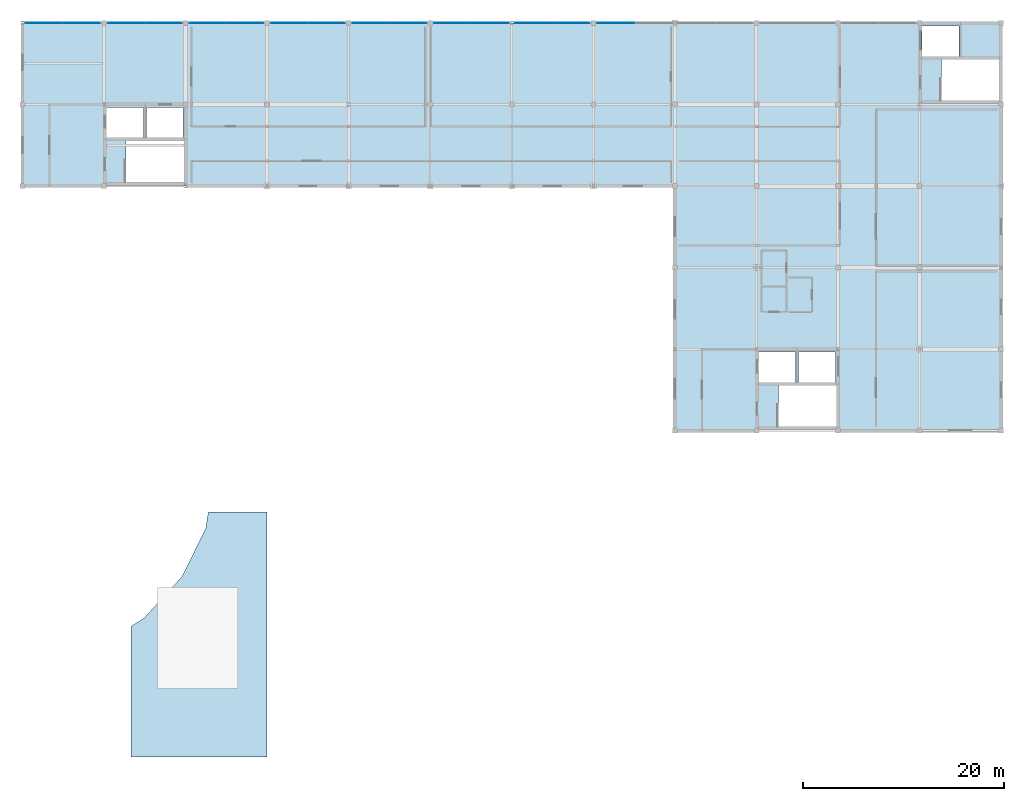
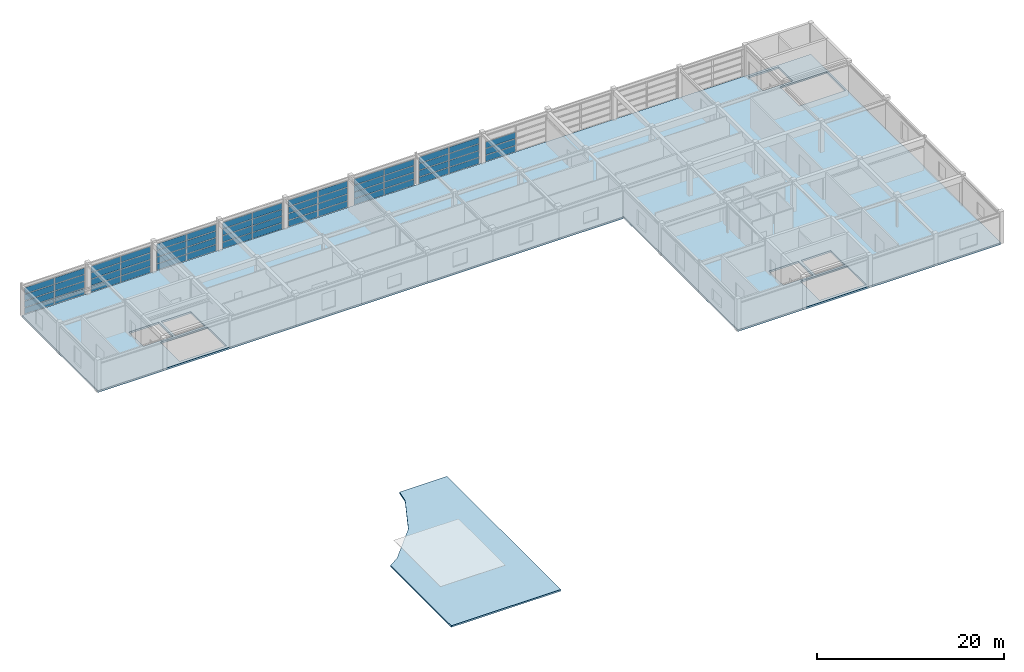
# One storey, part 14 of 19: 59 plates, 2 slabs, 8 elements without a shape of their own.
"""IFC4 building model written with IfcOpenShell, lengths in metres."""

from ifc_helpers import new_model, si_unit, direction, frame, origin, origin_2d, place, context, subcontext, project, spatial, polyline, rectangle, outline, extrude, material, layer, layer_set, type_object, element, aggregate, save


model = new_model("IFC4")

# Units and contexts
model_context = context("Model", 3, precision=1e-05, world=origin(), true_north=direction((0.0, 1.0)))
body_context = subcontext(model_context, "Body", "Model", "MODEL_VIEW")
ifc_project = project(units=[si_unit("LENGTHUNIT", "METRE"), si_unit("AREAUNIT", "SQUARE_METRE"), si_unit("VOLUMEUNIT", "CUBIC_METRE"), si_unit("PLANEANGLEUNIT", "RADIAN"), si_unit("MASSUNIT", "GRAM", prefix="KILO")], contexts=[model_context])

# Site, building, storey
site_placement = place(None, origin())
site = spatial("IfcSite", under=ifc_project, at=site_placement, CompositionType="ELEMENT")
building_placement = place(site_placement, origin())
building = spatial("IfcBuilding", under=site, at=building_placement, Name="Parian Resonance Hall", CompositionType="ELEMENT")
storey_placement = place(building_placement, frame((0.0, 0.0, 23.39990234375)))
storey = spatial("IfcBuildingStorey", under=building, at=storey_placement, Name="L05", CompositionType="ELEMENT", Elevation=23.39990234375)

# Curtain wall, plates
ifc_material_1 = material(Name="Bronze-anodised aluminium frame", Category="aluminium")
curtain_wall_type_1 = type_object("IfcCurtainWallType", Name="CW-SYS-02", PredefinedType="NOTDEFINED", material=ifc_material_1)
curtain_wall_1_placement = place(storey_placement, origin())
curtain_wall_1 = element("IfcCurtainWall", 1, at=curtain_wall_1_placement, inside=storey, type_object=curtain_wall_type_1, Name="Curtain wall CW-L05-153", PredefinedType="NOTDEFINED")
ifc_material_2 = material(Name="Acoustic laminated double glazing", Category="glass")
ifc_layer_1 = layer(ifc_material_2, 0.02197265625)
ifc_layer_set_1 = layer_set([ifc_layer_1], Name="Acoustic laminated double glazing")
plate_type_1 = type_object("IfcPlateType", Name="CWP-IGU22", PredefinedType="CURTAIN_PANEL", material=ifc_layer_set_1)
plate_1_placement = place(storey_placement, frame((58.90625, 89.10009765625, 0.05712890625), z_axis=(0.0, 0.0, 1.0), x_axis=(1.0, 0.0, 0.0)))
plate_1 = element("IfcPlate", 2, at=plate_1_placement, type_object=plate_type_1, Name="CW-02 panel 1.1", PredefinedType="CURTAIN_PANEL", context=body_context, shape_type="SweptSolid", body=[
    extrude(rectangle(XDim=3.62255859375, YDim=0.02197265625, at=origin_2d()), origin(), (0.0, 0.0, 1.0), 0.7841796875),
])
plate_2_placement = place(storey_placement, frame((58.90625, 89.10009765625, 0.90625), z_axis=(0.0, 0.0, 1.0), x_axis=(1.0, 0.0, 0.0)))
plate_2 = element("IfcPlate", 3, at=plate_2_placement, type_object=plate_type_1, Name="CW-02 panel 1.2", PredefinedType="CURTAIN_PANEL", context=body_context, shape_type="SweptSolid", body=[
    extrude(rectangle(XDim=3.62255859375, YDim=0.02197265625, at=origin_2d()), origin(), (0.0, 0.0, 1.0), 0.808837890625),
])
plate_3_placement = place(storey_placement, frame((58.90625, 89.10009765625, 1.780029296875), z_axis=(0.0, 0.0, 1.0), x_axis=(1.0, 0.0, 0.0)))
plate_3 = element("IfcPlate", 4, at=plate_3_placement, type_object=plate_type_1, Name="CW-02 panel 1.3", PredefinedType="CURTAIN_PANEL", context=body_context, shape_type="SweptSolid", body=[
    extrude(rectangle(XDim=3.62255859375, YDim=0.02197265625, at=origin_2d()), origin(), (0.0, 0.0, 1.0), 0.80859375),
])
plate_4_placement = place(storey_placement, frame((58.90625, 89.10009765625, 2.65380859375), z_axis=(0.0, 0.0, 1.0), x_axis=(1.0, 0.0, 0.0)))
plate_4 = element("IfcPlate", 5, at=plate_4_placement, type_object=plate_type_1, Name="CW-02 panel 1.4", PredefinedType="CURTAIN_PANEL", context=body_context, shape_type="SweptSolid", body=[
    extrude(rectangle(XDim=3.62255859375, YDim=0.02197265625, at=origin_2d()), origin(), (0.0, 0.0, 1.0), 0.786376953125),
])
plate_5_placement = place(storey_placement, frame((62.59375, 89.10009765625, 0.05712890625), z_axis=(0.0, 0.0, 1.0), x_axis=(1.0, 0.0, 0.0)))
plate_5 = element("IfcPlate", 6, at=plate_5_placement, type_object=plate_type_1, Name="CW-02 panel 2.1", PredefinedType="CURTAIN_PANEL", context=body_context, shape_type="SweptSolid", body=[
    extrude(rectangle(XDim=3.62255859375, YDim=0.02197265625, at=origin_2d()), origin(), (0.0, 0.0, 1.0), 0.7841796875),
])
plate_6_placement = place(storey_placement, frame((62.59375, 89.10009765625, 0.90625), z_axis=(0.0, 0.0, 1.0), x_axis=(1.0, 0.0, 0.0)))
plate_6 = element("IfcPlate", 7, at=plate_6_placement, type_object=plate_type_1, Name="CW-02 panel 2.2", PredefinedType="CURTAIN_PANEL", context=body_context, shape_type="SweptSolid", body=[
    extrude(rectangle(XDim=3.62255859375, YDim=0.02197265625, at=origin_2d()), origin(), (0.0, 0.0, 1.0), 0.808837890625),
])
plate_7_placement = place(storey_placement, frame((62.59375, 89.10009765625, 1.780029296875), z_axis=(0.0, 0.0, 1.0), x_axis=(1.0, 0.0, 0.0)))
plate_7 = element("IfcPlate", 8, at=plate_7_placement, type_object=plate_type_1, Name="CW-02 panel 2.3", PredefinedType="CURTAIN_PANEL", context=body_context, shape_type="SweptSolid", body=[
    extrude(rectangle(XDim=3.62255859375, YDim=0.02197265625, at=origin_2d()), origin(), (0.0, 0.0, 1.0), 0.80859375),
])
plate_8_placement = place(storey_placement, frame((62.59375, 89.10009765625, 2.65380859375), z_axis=(0.0, 0.0, 1.0), x_axis=(1.0, 0.0, 0.0)))
plate_8 = element("IfcPlate", 9, at=plate_8_placement, type_object=plate_type_1, Name="CW-02 panel 2.4", PredefinedType="CURTAIN_PANEL", context=body_context, shape_type="SweptSolid", body=[
    extrude(rectangle(XDim=3.62255859375, YDim=0.02197265625, at=origin_2d()), origin(), (0.0, 0.0, 1.0), 0.786376953125),
])
aggregate(curtain_wall_1, [plate_1, plate_2, plate_3, plate_4, plate_5, plate_6, plate_7, plate_8])

ifc_material_3 = material(Name="Bronze-anodised aluminium frame", Category="aluminium")
curtain_wall_type_2 = type_object("IfcCurtainWallType", Name="CW-SYS-05", PredefinedType="NOTDEFINED", material=ifc_material_3)
curtain_wall_2_placement = place(storey_placement, origin())
curtain_wall_2 = element("IfcCurtainWall", 10, at=curtain_wall_2_placement, inside=storey, type_object=curtain_wall_type_2, Name="Curtain wall CW-L05-156", PredefinedType="NOTDEFINED")
plate_9_placement = place(storey_placement, frame((83.208740234375, 89.10009765625, 0.067138671875), z_axis=(0.0, 0.0, 1.0), x_axis=(1.0, 0.0, 0.0)))
plate_9 = element("IfcPlate", 11, at=plate_9_placement, type_object=plate_type_1, Name="CW-05 panel 1.1", PredefinedType="CURTAIN_PANEL", context=body_context, shape_type="SweptSolid", body=[
    extrude(rectangle(XDim=3.607421875, YDim=0.02197265625, at=origin_2d()), origin(), (0.0, 0.0, 1.0), 0.7822265625),
])
plate_10_placement = place(storey_placement, frame((83.208740234375, 89.10009765625, 0.92431640625), z_axis=(0.0, 0.0, 1.0), x_axis=(1.0, 0.0, 0.0)))
plate_10 = element("IfcPlate", 12, at=plate_10_placement, type_object=plate_type_1, Name="CW-05 panel 1.2", PredefinedType="CURTAIN_PANEL", context=body_context, shape_type="SweptSolid", body=[
    extrude(rectangle(XDim=3.607421875, YDim=0.02197265625, at=origin_2d()), origin(), (0.0, 0.0, 1.0), 0.811767578125),
])
plate_11_placement = place(storey_placement, frame((83.208740234375, 89.10009765625, 1.81103515625), z_axis=(0.0, 0.0, 1.0), x_axis=(1.0, 0.0, 0.0)))
plate_11 = element("IfcPlate", 13, at=plate_11_placement, type_object=plate_type_1, Name="CW-05 panel 1.3", PredefinedType="CURTAIN_PANEL", context=body_context, shape_type="SweptSolid", body=[
    extrude(rectangle(XDim=3.607421875, YDim=0.02197265625, at=origin_2d()), origin(), (0.0, 0.0, 1.0), 0.811767578125),
])
plate_12_placement = place(storey_placement, frame((83.208740234375, 89.10009765625, 2.69775390625), z_axis=(0.0, 0.0, 1.0), x_axis=(1.0, 0.0, 0.0)))
plate_12 = element("IfcPlate", 14, at=plate_12_placement, type_object=plate_type_1, Name="CW-05 panel 1.4", PredefinedType="CURTAIN_PANEL", context=body_context, shape_type="SweptSolid", body=[
    extrude(rectangle(XDim=3.607421875, YDim=0.02197265625, at=origin_2d()), origin(), (0.0, 0.0, 1.0), 0.7841796875),
])
plate_13_placement = place(storey_placement, frame((86.891357421875, 89.10009765625, 0.067138671875), z_axis=(0.0, 0.0, 1.0), x_axis=(1.0, 0.0, 0.0)))
plate_13 = element("IfcPlate", 15, at=plate_13_placement, type_object=plate_type_1, Name="CW-05 panel 2.1", PredefinedType="CURTAIN_PANEL", context=body_context, shape_type="SweptSolid", body=[
    extrude(rectangle(XDim=3.607421875, YDim=0.02197265625, at=origin_2d()), origin(), (0.0, 0.0, 1.0), 0.7822265625),
])
plate_14_placement = place(storey_placement, frame((86.891357421875, 89.10009765625, 0.92431640625), z_axis=(0.0, 0.0, 1.0), x_axis=(1.0, 0.0, 0.0)))
plate_14 = element("IfcPlate", 16, at=plate_14_placement, type_object=plate_type_1, Name="CW-05 panel 2.2", PredefinedType="CURTAIN_PANEL", context=body_context, shape_type="SweptSolid", body=[
    extrude(rectangle(XDim=3.607421875, YDim=0.02197265625, at=origin_2d()), origin(), (0.0, 0.0, 1.0), 0.811767578125),
])
plate_15_placement = place(storey_placement, frame((86.891357421875, 89.10009765625, 1.81103515625), z_axis=(0.0, 0.0, 1.0), x_axis=(1.0, 0.0, 0.0)))
plate_15 = element("IfcPlate", 17, at=plate_15_placement, type_object=plate_type_1, Name="CW-05 panel 2.3", PredefinedType="CURTAIN_PANEL", context=body_context, shape_type="SweptSolid", body=[
    extrude(rectangle(XDim=3.607421875, YDim=0.02197265625, at=origin_2d()), origin(), (0.0, 0.0, 1.0), 0.811767578125),
])
plate_16_placement = place(storey_placement, frame((86.891357421875, 89.10009765625, 2.69775390625), z_axis=(0.0, 0.0, 1.0), x_axis=(1.0, 0.0, 0.0)))
plate_16 = element("IfcPlate", 18, at=plate_16_placement, type_object=plate_type_1, Name="CW-05 panel 2.4", PredefinedType="CURTAIN_PANEL", context=body_context, shape_type="SweptSolid", body=[
    extrude(rectangle(XDim=3.607421875, YDim=0.02197265625, at=origin_2d()), origin(), (0.0, 0.0, 1.0), 0.7841796875),
])
aggregate(curtain_wall_2, [plate_9, plate_10, plate_11, plate_12, plate_13, plate_14, plate_15, plate_16])

curtain_wall_3_placement = place(storey_placement, origin())
curtain_wall_3 = element("IfcCurtainWall", 19, at=curtain_wall_3_placement, inside=storey, type_object=curtain_wall_type_1, Name="Curtain wall CW-L05-159", PredefinedType="NOTDEFINED")
plate_17_placement = place(storey_placement, frame((107.53759765625, 89.10009765625, 0.05712890625), z_axis=(0.0, 0.0, 1.0), x_axis=(1.0, 0.0, 0.0)))
plate_17 = element("IfcPlate", 20, at=plate_17_placement, type_object=plate_type_1, Name="CW-02 panel 1.1", PredefinedType="CURTAIN_PANEL", context=body_context, shape_type="SweptSolid", body=[
    extrude(rectangle(XDim=3.68505859375, YDim=0.02197265625, at=origin_2d()), origin(), (0.0, 0.0, 1.0), 0.7841796875),
])
plate_18_placement = place(storey_placement, frame((107.53759765625, 89.10009765625, 0.90625), z_axis=(0.0, 0.0, 1.0), x_axis=(1.0, 0.0, 0.0)))
plate_18 = element("IfcPlate", 21, at=plate_18_placement, type_object=plate_type_1, Name="CW-02 panel 1.2", PredefinedType="CURTAIN_PANEL", context=body_context, shape_type="SweptSolid", body=[
    extrude(rectangle(XDim=3.68505859375, YDim=0.02197265625, at=origin_2d()), origin(), (0.0, 0.0, 1.0), 0.808837890625),
])
plate_19_placement = place(storey_placement, frame((107.53759765625, 89.10009765625, 1.780029296875), z_axis=(0.0, 0.0, 1.0), x_axis=(1.0, 0.0, 0.0)))
plate_19 = element("IfcPlate", 22, at=plate_19_placement, type_object=plate_type_1, Name="CW-02 panel 1.3", PredefinedType="CURTAIN_PANEL", context=body_context, shape_type="SweptSolid", body=[
    extrude(rectangle(XDim=3.68505859375, YDim=0.02197265625, at=origin_2d()), origin(), (0.0, 0.0, 1.0), 0.80859375),
])
aggregate(curtain_wall_3, [plate_17, plate_18, plate_19])

ifc_material_4 = material(Name="Bronze-anodised aluminium frame", Category="aluminium")
curtain_wall_type_3 = type_object("IfcCurtainWallType", Name="CW-SYS-03", PredefinedType="NOTDEFINED", material=ifc_material_4)
curtain_wall_4_placement = place(storey_placement, origin())
curtain_wall_4 = element("IfcCurtainWall", 23, at=curtain_wall_4_placement, inside=storey, type_object=curtain_wall_type_3, Name="Curtain wall CW-L05-154", PredefinedType="NOTDEFINED")
ifc_material_5 = material(Name="Acoustic laminated double glazing", Category="glass")
ifc_layer_2 = layer(ifc_material_5, 0.031982421875)
ifc_layer_set_2 = layer_set([ifc_layer_2], Name="Acoustic laminated double glazing")
plate_type_2 = type_object("IfcPlateType", Name="CWP-IGU32", PredefinedType="CURTAIN_PANEL", material=ifc_layer_set_2)
plate_20_placement = place(storey_placement, frame((67.0087890625, 89.10009765625, 0.067138671875), z_axis=(0.0, 0.0, 1.0), x_axis=(1.0, 0.0, 0.0)))
plate_20 = element("IfcPlate", 24, at=plate_20_placement, type_object=plate_type_2, Name="CW-03 panel 1.1", PredefinedType="CURTAIN_PANEL", context=body_context, shape_type="SweptSolid", body=[
    extrude(rectangle(XDim=3.607421875, YDim=0.031982421875, at=origin_2d()), origin(), (0.0, 0.0, 1.0), 0.7822265625),
])
plate_21_placement = place(storey_placement, frame((67.0087890625, 89.10009765625, 0.92431640625), z_axis=(0.0, 0.0, 1.0), x_axis=(1.0, 0.0, 0.0)))
plate_21 = element("IfcPlate", 25, at=plate_21_placement, type_object=plate_type_2, Name="CW-03 panel 1.2", PredefinedType="CURTAIN_PANEL", context=body_context, shape_type="SweptSolid", body=[
    extrude(rectangle(XDim=3.607421875, YDim=0.031982421875, at=origin_2d()), origin(), (0.0, 0.0, 1.0), 0.811767578125),
])
plate_22_placement = place(storey_placement, frame((67.0087890625, 89.10009765625, 1.81103515625), z_axis=(0.0, 0.0, 1.0), x_axis=(1.0, 0.0, 0.0)))
plate_22 = element("IfcPlate", 26, at=plate_22_placement, type_object=plate_type_2, Name="CW-03 panel 1.3", PredefinedType="CURTAIN_PANEL", context=body_context, shape_type="SweptSolid", body=[
    extrude(rectangle(XDim=3.607421875, YDim=0.031982421875, at=origin_2d()), origin(), (0.0, 0.0, 1.0), 0.811767578125),
])
plate_23_placement = place(storey_placement, frame((67.0087890625, 89.10009765625, 2.69775390625), z_axis=(0.0, 0.0, 1.0), x_axis=(1.0, 0.0, 0.0)))
plate_23 = element("IfcPlate", 27, at=plate_23_placement, type_object=plate_type_2, Name="CW-03 panel 1.4", PredefinedType="CURTAIN_PANEL", context=body_context, shape_type="SweptSolid", body=[
    extrude(rectangle(XDim=3.607421875, YDim=0.031982421875, at=origin_2d()), origin(), (0.0, 0.0, 1.0), 0.7841796875),
])
plate_24_placement = place(storey_placement, frame((70.691162109375, 89.10009765625, 0.067138671875), z_axis=(0.0, 0.0, 1.0), x_axis=(1.0, 0.0, 0.0)))
plate_24 = element("IfcPlate", 28, at=plate_24_placement, type_object=plate_type_2, Name="CW-03 panel 2.1", PredefinedType="CURTAIN_PANEL", context=body_context, shape_type="SweptSolid", body=[
    extrude(rectangle(XDim=3.607421875, YDim=0.031982421875, at=origin_2d()), origin(), (0.0, 0.0, 1.0), 0.7822265625),
])
plate_25_placement = place(storey_placement, frame((70.691162109375, 89.10009765625, 0.92431640625), z_axis=(0.0, 0.0, 1.0), x_axis=(1.0, 0.0, 0.0)))
plate_25 = element("IfcPlate", 29, at=plate_25_placement, type_object=plate_type_2, Name="CW-03 panel 2.2", PredefinedType="CURTAIN_PANEL", context=body_context, shape_type="SweptSolid", body=[
    extrude(rectangle(XDim=3.607421875, YDim=0.031982421875, at=origin_2d()), origin(), (0.0, 0.0, 1.0), 0.811767578125),
])
plate_26_placement = place(storey_placement, frame((70.691162109375, 89.10009765625, 1.81103515625), z_axis=(0.0, 0.0, 1.0), x_axis=(1.0, 0.0, 0.0)))
plate_26 = element("IfcPlate", 30, at=plate_26_placement, type_object=plate_type_2, Name="CW-03 panel 2.3", PredefinedType="CURTAIN_PANEL", context=body_context, shape_type="SweptSolid", body=[
    extrude(rectangle(XDim=3.607421875, YDim=0.031982421875, at=origin_2d()), origin(), (0.0, 0.0, 1.0), 0.811767578125),
])
plate_27_placement = place(storey_placement, frame((70.691162109375, 89.10009765625, 2.69775390625), z_axis=(0.0, 0.0, 1.0), x_axis=(1.0, 0.0, 0.0)))
plate_27 = element("IfcPlate", 31, at=plate_27_placement, type_object=plate_type_2, Name="CW-03 panel 2.4", PredefinedType="CURTAIN_PANEL", context=body_context, shape_type="SweptSolid", body=[
    extrude(rectangle(XDim=3.607421875, YDim=0.031982421875, at=origin_2d()), origin(), (0.0, 0.0, 1.0), 0.7841796875),
])
aggregate(curtain_wall_4, [plate_20, plate_21, plate_22, plate_23, plate_24, plate_25, plate_26, plate_27])

ifc_material_6 = material(Name="Bronze-anodised aluminium frame", Category="aluminium")
curtain_wall_type_4 = type_object("IfcCurtainWallType", Name="CW-SYS-06", PredefinedType="NOTDEFINED", material=ifc_material_6)
curtain_wall_5_placement = place(storey_placement, origin())
curtain_wall_5 = element("IfcCurtainWall", 32, at=curtain_wall_5_placement, inside=storey, type_object=curtain_wall_type_4, Name="Curtain wall CW-L05-157", PredefinedType="NOTDEFINED")
plate_28_placement = place(storey_placement, frame((91.33056640625, 89.10009765625, 0.05712890625), z_axis=(0.0, 0.0, 1.0), x_axis=(1.0, 0.0, 0.0)))
plate_28 = element("IfcPlate", 33, at=plate_28_placement, type_object=plate_type_2, Name="CW-06 panel 1.1", PredefinedType="CURTAIN_PANEL", context=body_context, shape_type="SweptSolid", body=[
    extrude(rectangle(XDim=3.671142578125, YDim=0.031982421875, at=origin_2d()), origin(), (0.0, 0.0, 1.0), 0.7841796875),
])
plate_29_placement = place(storey_placement, frame((91.33056640625, 89.10009765625, 0.90625), z_axis=(0.0, 0.0, 1.0), x_axis=(1.0, 0.0, 0.0)))
plate_29 = element("IfcPlate", 34, at=plate_29_placement, type_object=plate_type_2, Name="CW-06 panel 1.2", PredefinedType="CURTAIN_PANEL", context=body_context, shape_type="SweptSolid", body=[
    extrude(rectangle(XDim=3.671142578125, YDim=0.031982421875, at=origin_2d()), origin(), (0.0, 0.0, 1.0), 0.808837890625),
])
plate_30_placement = place(storey_placement, frame((91.33056640625, 89.10009765625, 1.780029296875), z_axis=(0.0, 0.0, 1.0), x_axis=(1.0, 0.0, 0.0)))
plate_30 = element("IfcPlate", 35, at=plate_30_placement, type_object=plate_type_2, Name="CW-06 panel 1.3", PredefinedType="CURTAIN_PANEL", context=body_context, shape_type="SweptSolid", body=[
    extrude(rectangle(XDim=3.671142578125, YDim=0.031982421875, at=origin_2d()), origin(), (0.0, 0.0, 1.0), 0.80859375),
])
plate_31_placement = place(storey_placement, frame((91.33056640625, 89.10009765625, 2.65380859375), z_axis=(0.0, 0.0, 1.0), x_axis=(1.0, 0.0, 0.0)))
plate_31 = element("IfcPlate", 36, at=plate_31_placement, type_object=plate_type_2, Name="CW-06 panel 1.4", PredefinedType="CURTAIN_PANEL", context=body_context, shape_type="SweptSolid", body=[
    extrude(rectangle(XDim=3.671142578125, YDim=0.031982421875, at=origin_2d()), origin(), (0.0, 0.0, 1.0), 0.786376953125),
])
plate_32_placement = place(storey_placement, frame((95.06689453125, 89.10009765625, 0.05712890625), z_axis=(0.0, 0.0, 1.0), x_axis=(1.0, 0.0, 0.0)))
plate_32 = element("IfcPlate", 37, at=plate_32_placement, type_object=plate_type_2, Name="CW-06 panel 2.1", PredefinedType="CURTAIN_PANEL", context=body_context, shape_type="SweptSolid", body=[
    extrude(rectangle(XDim=3.671142578125, YDim=0.031982421875, at=origin_2d()), origin(), (0.0, 0.0, 1.0), 0.7841796875),
])
plate_33_placement = place(storey_placement, frame((95.06689453125, 89.10009765625, 0.90625), z_axis=(0.0, 0.0, 1.0), x_axis=(1.0, 0.0, 0.0)))
plate_33 = element("IfcPlate", 38, at=plate_33_placement, type_object=plate_type_2, Name="CW-06 panel 2.2", PredefinedType="CURTAIN_PANEL", context=body_context, shape_type="SweptSolid", body=[
    extrude(rectangle(XDim=3.671142578125, YDim=0.031982421875, at=origin_2d()), origin(), (0.0, 0.0, 1.0), 0.808837890625),
])
plate_34_placement = place(storey_placement, frame((95.06689453125, 89.10009765625, 1.780029296875), z_axis=(0.0, 0.0, 1.0), x_axis=(1.0, 0.0, 0.0)))
plate_34 = element("IfcPlate", 39, at=plate_34_placement, type_object=plate_type_2, Name="CW-06 panel 2.3", PredefinedType="CURTAIN_PANEL", context=body_context, shape_type="SweptSolid", body=[
    extrude(rectangle(XDim=3.671142578125, YDim=0.031982421875, at=origin_2d()), origin(), (0.0, 0.0, 1.0), 0.80859375),
])
plate_35_placement = place(storey_placement, frame((95.06689453125, 89.10009765625, 2.65380859375), z_axis=(0.0, 0.0, 1.0), x_axis=(1.0, 0.0, 0.0)))
plate_35 = element("IfcPlate", 40, at=plate_35_placement, type_object=plate_type_2, Name="CW-06 panel 2.4", PredefinedType="CURTAIN_PANEL", context=body_context, shape_type="SweptSolid", body=[
    extrude(rectangle(XDim=3.671142578125, YDim=0.031982421875, at=origin_2d()), origin(), (0.0, 0.0, 1.0), 0.786376953125),
])
aggregate(curtain_wall_5, [plate_28, plate_29, plate_30, plate_31, plate_32, plate_33, plate_34, plate_35])

ifc_material_7 = material(Name="Bronze-anodised aluminium frame", Category="aluminium")
curtain_wall_type_5 = type_object("IfcCurtainWallType", Name="CW-SYS-01", PredefinedType="NOTDEFINED", material=ifc_material_7)
curtain_wall_6_placement = place(storey_placement, origin())
curtain_wall_6 = element("IfcCurtainWall", 41, at=curtain_wall_6_placement, inside=storey, type_object=curtain_wall_type_5, Name="Curtain wall CW-L05-152", PredefinedType="NOTDEFINED")
ifc_material_8 = material(Name="Acoustic laminated double glazing", Category="glass")
ifc_layer_3 = layer(ifc_material_8, 0.0419921875)
ifc_layer_set_3 = layer_set([ifc_layer_3], Name="Acoustic laminated double glazing")
plate_type_3 = type_object("IfcPlateType", Name="CWP-IGU42", PredefinedType="CURTAIN_PANEL", material=ifc_layer_set_3)
plate_36_placement = place(storey_placement, frame((50.735595703125, 89.10009765625, 0.067138671875), z_axis=(0.0, 0.0, 1.0), x_axis=(1.0, 0.0, 0.0)))
plate_36 = element("IfcPlate", 42, at=plate_36_placement, type_object=plate_type_3, Name="CW-01 panel 1.1", PredefinedType="CURTAIN_PANEL", context=body_context, shape_type="SweptSolid", body=[
    extrude(rectangle(XDim=3.65625, YDim=0.0419921875, at=origin_2d()), origin(), (0.0, 0.0, 1.0), 0.7822265625),
])
plate_37_placement = place(storey_placement, frame((50.735595703125, 89.10009765625, 0.92431640625), z_axis=(0.0, 0.0, 1.0), x_axis=(1.0, 0.0, 0.0)))
plate_37 = element("IfcPlate", 43, at=plate_37_placement, type_object=plate_type_3, Name="CW-01 panel 1.2", PredefinedType="CURTAIN_PANEL", context=body_context, shape_type="SweptSolid", body=[
    extrude(rectangle(XDim=3.65625, YDim=0.0419921875, at=origin_2d()), origin(), (0.0, 0.0, 1.0), 0.811767578125),
])
plate_38_placement = place(storey_placement, frame((50.735595703125, 89.10009765625, 1.81103515625), z_axis=(0.0, 0.0, 1.0), x_axis=(1.0, 0.0, 0.0)))
plate_38 = element("IfcPlate", 44, at=plate_38_placement, type_object=plate_type_3, Name="CW-01 panel 1.3", PredefinedType="CURTAIN_PANEL", context=body_context, shape_type="SweptSolid", body=[
    extrude(rectangle(XDim=3.65625, YDim=0.0419921875, at=origin_2d()), origin(), (0.0, 0.0, 1.0), 0.811767578125),
])
plate_39_placement = place(storey_placement, frame((50.735595703125, 89.10009765625, 2.69775390625), z_axis=(0.0, 0.0, 1.0), x_axis=(1.0, 0.0, 0.0)))
plate_39 = element("IfcPlate", 45, at=plate_39_placement, type_object=plate_type_3, Name="CW-01 panel 1.4", PredefinedType="CURTAIN_PANEL", context=body_context, shape_type="SweptSolid", body=[
    extrude(rectangle(XDim=3.65625, YDim=0.0419921875, at=origin_2d()), origin(), (0.0, 0.0, 1.0), 0.7841796875),
])
plate_40_placement = place(storey_placement, frame((54.466796875, 89.10009765625, 0.067138671875), z_axis=(0.0, 0.0, 1.0), x_axis=(1.0, 0.0, 0.0)))
plate_40 = element("IfcPlate", 46, at=plate_40_placement, type_object=plate_type_3, Name="CW-01 panel 2.1", PredefinedType="CURTAIN_PANEL", context=body_context, shape_type="SweptSolid", body=[
    extrude(rectangle(XDim=3.65625, YDim=0.0419921875, at=origin_2d()), origin(), (0.0, 0.0, 1.0), 0.7822265625),
])
plate_41_placement = place(storey_placement, frame((54.466796875, 89.10009765625, 0.92431640625), z_axis=(0.0, 0.0, 1.0), x_axis=(1.0, 0.0, 0.0)))
plate_41 = element("IfcPlate", 47, at=plate_41_placement, type_object=plate_type_3, Name="CW-01 panel 2.2", PredefinedType="CURTAIN_PANEL", context=body_context, shape_type="SweptSolid", body=[
    extrude(rectangle(XDim=3.65625, YDim=0.0419921875, at=origin_2d()), origin(), (0.0, 0.0, 1.0), 0.811767578125),
])
plate_42_placement = place(storey_placement, frame((54.466796875, 89.10009765625, 1.81103515625), z_axis=(0.0, 0.0, 1.0), x_axis=(1.0, 0.0, 0.0)))
plate_42 = element("IfcPlate", 48, at=plate_42_placement, type_object=plate_type_3, Name="CW-01 panel 2.3", PredefinedType="CURTAIN_PANEL", context=body_context, shape_type="SweptSolid", body=[
    extrude(rectangle(XDim=3.65625, YDim=0.0419921875, at=origin_2d()), origin(), (0.0, 0.0, 1.0), 0.811767578125),
])
plate_43_placement = place(storey_placement, frame((54.466796875, 89.10009765625, 2.69775390625), z_axis=(0.0, 0.0, 1.0), x_axis=(1.0, 0.0, 0.0)))
plate_43 = element("IfcPlate", 49, at=plate_43_placement, type_object=plate_type_3, Name="CW-01 panel 2.4", PredefinedType="CURTAIN_PANEL", context=body_context, shape_type="SweptSolid", body=[
    extrude(rectangle(XDim=3.65625, YDim=0.0419921875, at=origin_2d()), origin(), (0.0, 0.0, 1.0), 0.7841796875),
])
aggregate(curtain_wall_6, [plate_36, plate_37, plate_38, plate_39, plate_40, plate_41, plate_42, plate_43])

ifc_material_9 = material(Name="Bronze-anodised aluminium frame", Category="aluminium")
curtain_wall_type_6 = type_object("IfcCurtainWallType", Name="CW-SYS-04", PredefinedType="NOTDEFINED", material=ifc_material_9)
curtain_wall_7_placement = place(storey_placement, origin())
curtain_wall_7 = element("IfcCurtainWall", 50, at=curtain_wall_7_placement, inside=storey, type_object=curtain_wall_type_6, Name="Curtain wall CW-L05-155", PredefinedType="NOTDEFINED")
plate_44_placement = place(storey_placement, frame((75.106201171875, 89.10009765625, 0.05712890625), z_axis=(0.0, 0.0, 1.0), x_axis=(1.0, 0.0, 0.0)))
plate_44 = element("IfcPlate", 51, at=plate_44_placement, type_object=plate_type_3, Name="CW-04 panel 1.1", PredefinedType="CURTAIN_PANEL", context=body_context, shape_type="SweptSolid", body=[
    extrude(rectangle(XDim=3.62255859375, YDim=0.0419921875, at=origin_2d()), origin(), (0.0, 0.0, 1.0), 0.7841796875),
])
plate_45_placement = place(storey_placement, frame((75.106201171875, 89.10009765625, 0.90625), z_axis=(0.0, 0.0, 1.0), x_axis=(1.0, 0.0, 0.0)))
plate_45 = element("IfcPlate", 52, at=plate_45_placement, type_object=plate_type_3, Name="CW-04 panel 1.2", PredefinedType="CURTAIN_PANEL", context=body_context, shape_type="SweptSolid", body=[
    extrude(rectangle(XDim=3.62255859375, YDim=0.0419921875, at=origin_2d()), origin(), (0.0, 0.0, 1.0), 0.808837890625),
])
plate_46_placement = place(storey_placement, frame((75.106201171875, 89.10009765625, 1.780029296875), z_axis=(0.0, 0.0, 1.0), x_axis=(1.0, 0.0, 0.0)))
plate_46 = element("IfcPlate", 53, at=plate_46_placement, type_object=plate_type_3, Name="CW-04 panel 1.3", PredefinedType="CURTAIN_PANEL", context=body_context, shape_type="SweptSolid", body=[
    extrude(rectangle(XDim=3.62255859375, YDim=0.0419921875, at=origin_2d()), origin(), (0.0, 0.0, 1.0), 0.80859375),
])
plate_47_placement = place(storey_placement, frame((75.106201171875, 89.10009765625, 2.65380859375), z_axis=(0.0, 0.0, 1.0), x_axis=(1.0, 0.0, 0.0)))
plate_47 = element("IfcPlate", 54, at=plate_47_placement, type_object=plate_type_3, Name="CW-04 panel 1.4", PredefinedType="CURTAIN_PANEL", context=body_context, shape_type="SweptSolid", body=[
    extrude(rectangle(XDim=3.62255859375, YDim=0.0419921875, at=origin_2d()), origin(), (0.0, 0.0, 1.0), 0.786376953125),
])
plate_48_placement = place(storey_placement, frame((78.793701171875, 89.10009765625, 0.05712890625), z_axis=(0.0, 0.0, 1.0), x_axis=(1.0, 0.0, 0.0)))
plate_48 = element("IfcPlate", 55, at=plate_48_placement, type_object=plate_type_3, Name="CW-04 panel 2.1", PredefinedType="CURTAIN_PANEL", context=body_context, shape_type="SweptSolid", body=[
    extrude(rectangle(XDim=3.62255859375, YDim=0.0419921875, at=origin_2d()), origin(), (0.0, 0.0, 1.0), 0.7841796875),
])
plate_49_placement = place(storey_placement, frame((78.793701171875, 89.10009765625, 0.90625), z_axis=(0.0, 0.0, 1.0), x_axis=(1.0, 0.0, 0.0)))
plate_49 = element("IfcPlate", 56, at=plate_49_placement, type_object=plate_type_3, Name="CW-04 panel 2.2", PredefinedType="CURTAIN_PANEL", context=body_context, shape_type="SweptSolid", body=[
    extrude(rectangle(XDim=3.62255859375, YDim=0.0419921875, at=origin_2d()), origin(), (0.0, 0.0, 1.0), 0.808837890625),
])
plate_50_placement = place(storey_placement, frame((78.793701171875, 89.10009765625, 1.780029296875), z_axis=(0.0, 0.0, 1.0), x_axis=(1.0, 0.0, 0.0)))
plate_50 = element("IfcPlate", 57, at=plate_50_placement, type_object=plate_type_3, Name="CW-04 panel 2.3", PredefinedType="CURTAIN_PANEL", context=body_context, shape_type="SweptSolid", body=[
    extrude(rectangle(XDim=3.62255859375, YDim=0.0419921875, at=origin_2d()), origin(), (0.0, 0.0, 1.0), 0.80859375),
])
plate_51_placement = place(storey_placement, frame((78.793701171875, 89.10009765625, 2.65380859375), z_axis=(0.0, 0.0, 1.0), x_axis=(1.0, 0.0, 0.0)))
plate_51 = element("IfcPlate", 58, at=plate_51_placement, type_object=plate_type_3, Name="CW-04 panel 2.4", PredefinedType="CURTAIN_PANEL", context=body_context, shape_type="SweptSolid", body=[
    extrude(rectangle(XDim=3.62255859375, YDim=0.0419921875, at=origin_2d()), origin(), (0.0, 0.0, 1.0), 0.786376953125),
])
aggregate(curtain_wall_7, [plate_44, plate_45, plate_46, plate_47, plate_48, plate_49, plate_50, plate_51])

curtain_wall_8_placement = place(storey_placement, origin())
curtain_wall_8 = element("IfcCurtainWall", 59, at=curtain_wall_8_placement, inside=storey, type_object=curtain_wall_type_5, Name="Curtain wall CW-L05-158", PredefinedType="NOTDEFINED")
plate_52_placement = place(storey_placement, frame((99.335693359375, 89.10009765625, 0.067138671875), z_axis=(0.0, 0.0, 1.0), x_axis=(1.0, 0.0, 0.0)))
plate_52 = element("IfcPlate", 60, at=plate_52_placement, type_object=plate_type_3, Name="CW-01 panel 1.1", PredefinedType="CURTAIN_PANEL", context=body_context, shape_type="SweptSolid", body=[
    extrude(rectangle(XDim=3.65625, YDim=0.0419921875, at=origin_2d()), origin(), (0.0, 0.0, 1.0), 0.7822265625),
])
plate_53_placement = place(storey_placement, frame((99.335693359375, 89.10009765625, 0.92431640625), z_axis=(0.0, 0.0, 1.0), x_axis=(1.0, 0.0, 0.0)))
plate_53 = element("IfcPlate", 61, at=plate_53_placement, type_object=plate_type_3, Name="CW-01 panel 1.2", PredefinedType="CURTAIN_PANEL", context=body_context, shape_type="SweptSolid", body=[
    extrude(rectangle(XDim=3.65625, YDim=0.0419921875, at=origin_2d()), origin(), (0.0, 0.0, 1.0), 0.811767578125),
])
plate_54_placement = place(storey_placement, frame((99.335693359375, 89.10009765625, 1.81103515625), z_axis=(0.0, 0.0, 1.0), x_axis=(1.0, 0.0, 0.0)))
plate_54 = element("IfcPlate", 62, at=plate_54_placement, type_object=plate_type_3, Name="CW-01 panel 1.3", PredefinedType="CURTAIN_PANEL", context=body_context, shape_type="SweptSolid", body=[
    extrude(rectangle(XDim=3.65625, YDim=0.0419921875, at=origin_2d()), origin(), (0.0, 0.0, 1.0), 0.811767578125),
])
plate_55_placement = place(storey_placement, frame((99.335693359375, 89.10009765625, 2.69775390625), z_axis=(0.0, 0.0, 1.0), x_axis=(1.0, 0.0, 0.0)))
plate_55 = element("IfcPlate", 63, at=plate_55_placement, type_object=plate_type_3, Name="CW-01 panel 1.4", PredefinedType="CURTAIN_PANEL", context=body_context, shape_type="SweptSolid", body=[
    extrude(rectangle(XDim=3.65625, YDim=0.0419921875, at=origin_2d()), origin(), (0.0, 0.0, 1.0), 0.7841796875),
])
plate_56_placement = place(storey_placement, frame((103.06689453125, 89.10009765625, 0.067138671875), z_axis=(0.0, 0.0, 1.0), x_axis=(1.0, 0.0, 0.0)))
plate_56 = element("IfcPlate", 64, at=plate_56_placement, type_object=plate_type_3, Name="CW-01 panel 2.1", PredefinedType="CURTAIN_PANEL", context=body_context, shape_type="SweptSolid", body=[
    extrude(rectangle(XDim=3.65625, YDim=0.0419921875, at=origin_2d()), origin(), (0.0, 0.0, 1.0), 0.7822265625),
])
plate_57_placement = place(storey_placement, frame((103.06689453125, 89.10009765625, 0.92431640625), z_axis=(0.0, 0.0, 1.0), x_axis=(1.0, 0.0, 0.0)))
plate_57 = element("IfcPlate", 65, at=plate_57_placement, type_object=plate_type_3, Name="CW-01 panel 2.2", PredefinedType="CURTAIN_PANEL", context=body_context, shape_type="SweptSolid", body=[
    extrude(rectangle(XDim=3.65625, YDim=0.0419921875, at=origin_2d()), origin(), (0.0, 0.0, 1.0), 0.811767578125),
])
plate_58_placement = place(storey_placement, frame((103.06689453125, 89.10009765625, 1.81103515625), z_axis=(0.0, 0.0, 1.0), x_axis=(1.0, 0.0, 0.0)))
plate_58 = element("IfcPlate", 66, at=plate_58_placement, type_object=plate_type_3, Name="CW-01 panel 2.3", PredefinedType="CURTAIN_PANEL", context=body_context, shape_type="SweptSolid", body=[
    extrude(rectangle(XDim=3.65625, YDim=0.0419921875, at=origin_2d()), origin(), (0.0, 0.0, 1.0), 0.811767578125),
])
plate_59_placement = place(storey_placement, frame((103.06689453125, 89.10009765625, 2.69775390625), z_axis=(0.0, 0.0, 1.0), x_axis=(1.0, 0.0, 0.0)))
plate_59 = element("IfcPlate", 67, at=plate_59_placement, type_object=plate_type_3, Name="CW-01 panel 2.4", PredefinedType="CURTAIN_PANEL", context=body_context, shape_type="SweptSolid", body=[
    extrude(rectangle(XDim=3.65625, YDim=0.0419921875, at=origin_2d()), origin(), (0.0, 0.0, 1.0), 0.7841796875),
])
aggregate(curtain_wall_8, [plate_52, plate_53, plate_54, plate_55, plate_56, plate_57, plate_58, plate_59])

# Slabs
ifc_material_10 = material(Name="Concrete C35/45", Category="concrete")
ifc_layer_4 = layer(ifc_material_10, 0.239990234375)
ifc_layer_set_4 = layer_set([ifc_layer_4], Name="Concrete C35/45")
slab_type_1 = type_object("IfcSlabType", Name="SLB-FLR-240", PredefinedType="FLOOR", material=ifc_layer_set_4)
slab_1_placement = place(storey_placement, frame((0.0, 0.0, -0.239990234375)))
element("IfcSlab", 68, at=slab_1_placement, inside=storey, type_object=slab_type_1, Name="Broadcast control, acoustic laboratory and AHU plant L05 slab", PredefinedType="FLOOR", context=body_context, shape_type="SweptSolid", body=[
    extrude(outline(polyline([(145.800048828125, 89.10009765625), (113.39990234375, 89.10009765625), (48.60009765625, 89.10009765625), (48.60009765625, 72.89990234375), (113.39990234375, 72.89990234375), (113.39990234375, 48.60009765625), (145.800048828125, 48.60009765625), (145.800048828125, 89.10009765625)]), holes=[polyline([(129.4599609375, 49.0), (123.695068359375, 49.0), (123.695068359375, 53.10009765625), (129.4599609375, 53.10009765625), (129.4599609375, 49.0)]), polyline([(125.39990234375, 53.35009765625), (121.739990234375, 53.35009765625), (121.739990234375, 56.39990234375), (125.39990234375, 56.39990234375), (125.39990234375, 53.35009765625)]), polyline([(129.360107421875, 53.35009765625), (125.699951171875, 53.35009765625), (125.699951171875, 56.39990234375), (129.360107421875, 56.39990234375), (129.360107421875, 53.35009765625)]), polyline([(64.659912109375, 73.300048828125), (58.89501953125, 73.300048828125), (58.89501953125, 77.39990234375), (64.659912109375, 77.39990234375), (64.659912109375, 73.300048828125)]), polyline([(60.60009765625, 77.64990234375), (56.93994140625, 77.64990234375), (56.93994140625, 80.699951171875), (60.60009765625, 80.699951171875), (60.60009765625, 77.64990234375)]), polyline([(64.56005859375, 77.64990234375), (60.89990234375, 77.64990234375), (60.89990234375, 80.699951171875), (64.56005859375, 80.699951171875), (64.56005859375, 77.64990234375)]), polyline([(145.6201171875, 81.39990234375), (139.875, 81.39990234375), (139.875, 85.4599609375), (145.6201171875, 85.4599609375), (145.6201171875, 81.39990234375)]), polyline([(141.60009765625, 85.75), (137.93994140625, 85.75), (137.93994140625, 88.800048828125), (141.60009765625, 88.800048828125), (141.60009765625, 85.75)])]), origin(), (0.0, 0.0, 1.0), 0.239990234375),
])
ifc_material_11 = material(Name="Concrete C35/45", Category="concrete")
ifc_layer_5 = layer(ifc_material_11, 0.2099609375)
ifc_layer_set_5 = layer_set([ifc_layer_5], Name="Concrete C35/45")
slab_type_2 = type_object("IfcSlabType", Name="SLB-ROOF-180", PredefinedType="ROOF", material=ifc_layer_set_5)
slab_2_placement = place(storey_placement, frame((0.0, 0.0, -0.2099609375)))
element("IfcSlab", 69, at=slab_2_placement, inside=storey, type_object=slab_type_2, Name="Main hall south-east gallery roof slab", PredefinedType="ROOF", context=body_context, shape_type="SweptSolid", body=[
    extrude(outline(polyline([(67.05078125, 40.5), (66.7958984375, 38.87548828125), (64.438232421875, 34.10009765625), (60.687744140625, 29.999267578125), (59.39990234375, 29.17041015625), (59.39990234375, 16.199951171875), (72.89990234375, 16.199951171875), (72.89990234375, 40.5), (67.05078125, 40.5)])), origin(), (0.0, 0.0, 1.0), 0.2099609375),
])

save(model, "model.ifc")
